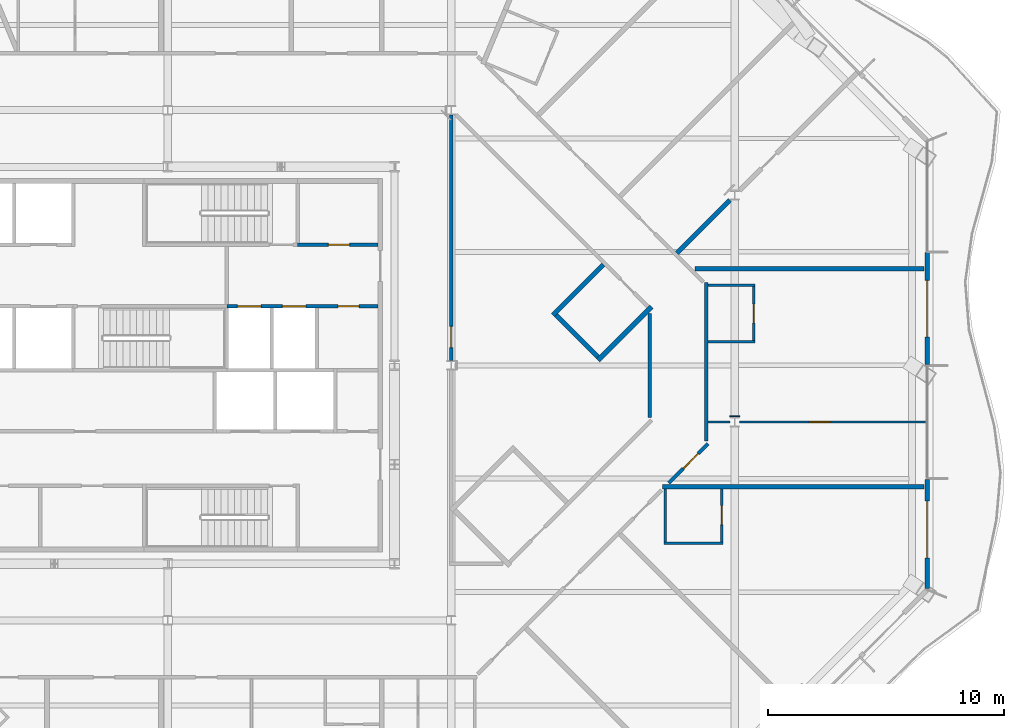
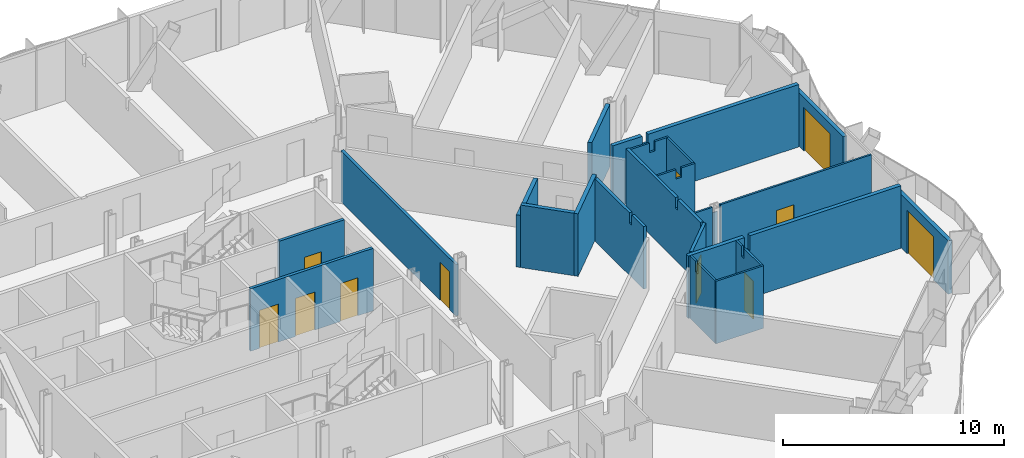
# One storey, part 10 of 19: 23 walls, 11 doors, 11 openings.
"""IFC4 building model written with IfcOpenShell, lengths in metres."""

from ifc_helpers import new_model, si_unit, direction, frame, frame_2d, origin, place, context, subcontext, project, spatial, polyline, rectangle, outline, extrude, material, layer, layer_set, type_object, element, fill, save


model = new_model("IFC4")

# Units and contexts
model_context = context("Model", 3, precision=1e-05, world=origin(), true_north=direction((0.0, 1.0)))
body_context = subcontext(model_context, "Body", "Model", "MODEL_VIEW")
ifc_project = project(units=[si_unit("LENGTHUNIT", "METRE"), si_unit("AREAUNIT", "SQUARE_METRE"), si_unit("VOLUMEUNIT", "CUBIC_METRE"), si_unit("PLANEANGLEUNIT", "RADIAN"), si_unit("MASSUNIT", "GRAM", prefix="KILO")], contexts=[model_context])

# Site, building, storey
site_placement = place(None, origin())
site = spatial("IfcSite", under=ifc_project, at=site_placement, CompositionType="ELEMENT")
building_placement = place(site_placement, origin())
building = spatial("IfcBuilding", under=site, at=building_placement, Name="Cairn Pilgrim Tower", CompositionType="ELEMENT")
storey_placement = place(building_placement, frame((0.0, 0.0, 186.60009765625)))
storey = spatial("IfcBuildingStorey", under=building, at=storey_placement, Name="L47", CompositionType="ELEMENT", Elevation=186.60009765625)

# Wall, opening, door
ifc_material_1 = material(Name="Bronze anodised aluminium insulated sandwich panel with mineral wool fill", Category="aluminium")
ifc_layer_1 = layer(ifc_material_1, 0.199951171875)
ifc_layer_set_1 = layer_set([ifc_layer_1], Name="BRONZE INFILL FRAME WALL 200")
wall_type_1 = type_object("IfcWallType", Name="BRONZE INFILL FRAME WALL 200", PredefinedType="NOTDEFINED", material=ifc_layer_set_1)
wall_1_placement = place(storey_placement, frame((39.35009765625, -7.056396484375, 0.0), z_axis=(0.0, 0.0, 1.0), x_axis=(0.0, 1.0, 0.0)))
wall_1 = element("IfcWall", 1, at=wall_1_placement, inside=storey, type_object=wall_type_1, Name="Bronze infill frame wall IW-E1", PredefinedType="NOTDEFINED", context=body_context, shape_type="SweptSolid", body=[
    extrude(rectangle(XDim=4.62646484375, YDim=0.199951171875, at=frame_2d((2.313232421875, 0.0))), origin(), (0.0, 0.0, 1.0), 2.949951171875),
])
opening_1_placement = place(wall_1_placement, frame((1.308349609375, 0.0, 0.0)))
opening_1 = element("IfcOpeningElement", 2, at=opening_1_placement, cuts=wall_1, Name="Opening 4703B", PredefinedType="OPENING", context=body_context, shape_type="SweptSolid", body=[
    extrude(rectangle(XDim=2.39990234375, YDim=2.39990234375, at=frame_2d((1.199951171875, 1.199951171875))), frame((0.0, 0.10986328125, 0.0), z_axis=(0.0, -1.0, 0.0), x_axis=(1.0, 0.0, 0.0)), (0.0, 0.0, 1.0), 0.219970703125),
])
ifc_material_2 = material(Name="Bronze anodised aluminium frame with tinted low-E glass", Category="aluminium")
door_type_1 = type_object("IfcDoorType", Name="BALCONY SLIDING DOOR 2400x2400", OperationType="DOUBLE_DOOR_SLIDING", PredefinedType="DOOR", material=ifc_material_2)
door_1_placement = place(opening_1_placement, origin())
door_1 = element("IfcDoor", 3, at=door_1_placement, inside=storey, type_object=door_type_1, Name="Balcony sliding door 4703B", OperationType="SINGLE_SWING_LEFT", OverallHeight=2.39990234375, OverallWidth=2.39990234375, PredefinedType="DOOR", context=body_context, shape_type="SweptSolid", body=[
    extrude(rectangle(XDim=2.39990234375, YDim=2.39990234375, at=frame_2d((1.199951171875, 1.199951171875))), frame((0.0, 0.02490234375, 0.0), z_axis=(0.0, -1.0, 0.0), x_axis=(1.0, 0.0, 0.0)), (0.0, 0.0, 1.0), 0.050048828125),
])
fill(opening_1, door_1)

wall_2_placement = place(storey_placement, frame((39.35009765625, 2.429931640625, 0.0), z_axis=(0.0, 0.0, 1.0), x_axis=(0.0, 1.0, 0.0)))
wall_2 = element("IfcWall", 4, at=wall_2_placement, inside=storey, type_object=wall_type_1, Name="Bronze infill frame wall IW-E3", PredefinedType="NOTDEFINED", context=body_context, shape_type="SweptSolid", body=[
    extrude(rectangle(XDim=4.739990234375, YDim=0.199951171875, at=frame_2d((2.3701171875, 0.0))), origin(), (0.0, 0.0, 1.0), 2.949951171875),
])
opening_2_placement = place(wall_2_placement, frame((1.169921875, 0.0, 0.0)))
opening_2 = element("IfcOpeningElement", 5, at=opening_2_placement, cuts=wall_2, Name="Opening 4704SB", PredefinedType="OPENING", context=body_context, shape_type="SweptSolid", body=[
    extrude(rectangle(XDim=2.39990234375, YDim=2.39990234375, at=frame_2d((1.199951171875, 1.199951171875))), frame((0.0, 0.10986328125, 0.0), z_axis=(0.0, -1.0, 0.0), x_axis=(1.0, 0.0, 0.0)), (0.0, 0.0, 1.0), 0.219970703125),
])
door_2_placement = place(opening_2_placement, origin())
door_2 = element("IfcDoor", 6, at=door_2_placement, inside=storey, type_object=door_type_1, Name="Balcony sliding door 4704SB", OperationType="SINGLE_SWING_LEFT", OverallHeight=2.39990234375, OverallWidth=2.39990234375, PredefinedType="DOOR", context=body_context, shape_type="SweptSolid", body=[
    extrude(rectangle(XDim=2.39990234375, YDim=2.39990234375, at=frame_2d((1.199951171875, 1.199951171875))), frame((0.0, 0.02490234375, 0.0), z_axis=(0.0, -1.0, 0.0), x_axis=(1.0, 0.0, 0.0)), (0.0, 0.0, 1.0), 0.050048828125),
])
fill(opening_2, door_2)

# Wall, openings, doors
ifc_material_3 = material(Name="Concrete C32/40", Category="concrete")
ifc_layer_2 = layer(ifc_material_3, 0.14990234375)
ifc_layer_set_2 = layer_set([ifc_layer_2], Name="CORE SHAFT WALL 150 EI 120")
wall_type_2 = type_object("IfcWallType", Name="CORE SHAFT WALL 150 EI 120", PredefinedType="SOLIDWALL", material=ifc_layer_set_2)
wall_3_placement = place(storey_placement, frame((9.699951171875, 4.89990234375, 0.0), z_axis=(0.0, 0.0, 1.0), x_axis=(1.0, 0.0, 0.0)))
wall_3 = element("IfcWall", 7, at=wall_3_placement, inside=storey, type_object=wall_type_2, Name="CW:L47:H09-3", PredefinedType="SOLIDWALL", context=body_context, shape_type="SweptSolid", body=[
    extrude(rectangle(XDim=6.400146484375, YDim=0.14990234375, at=frame_2d((3.2001953125, 0.0))), origin(), (0.0, 0.0, 1.0), 3.449951171875),
])
opening_3_placement = place(wall_3_placement, frame((0.449951171875, 0.0, 0.0)))
opening_3 = element("IfcOpeningElement", 8, at=opening_3_placement, cuts=wall_3, Name="Opening LD-FF1", PredefinedType="OPENING", context=body_context, shape_type="SweptSolid", body=[
    extrude(rectangle(XDim=1.0, YDim=2.10009765625, at=frame_2d((0.5, 1.050048828125))), frame((0.0, 0.0849609375, 0.0), z_axis=(0.0, -1.0, 0.0), x_axis=(1.0, 0.0, 0.0)), (0.0, 0.0, 1.0), 0.169921875),
])
opening_4_placement = place(wall_3_placement, frame((2.35009765625, 0.0, 0.0)))
opening_4 = element("IfcOpeningElement", 9, at=opening_4_placement, cuts=wall_3, Name="Opening LD-FF2", PredefinedType="OPENING", context=body_context, shape_type="SweptSolid", body=[
    extrude(rectangle(XDim=1.0, YDim=2.10009765625, at=frame_2d((0.5, 1.050048828125))), frame((0.0, 0.0849609375, 0.0), z_axis=(0.0, -1.0, 0.0), x_axis=(1.0, 0.0, 0.0)), (0.0, 0.0, 1.0), 0.169921875),
])
opening_5_placement = place(wall_3_placement, frame((4.699951171875, 0.0, 0.0)))
opening_5 = element("IfcOpeningElement", 10, at=opening_5_placement, cuts=wall_3, Name="Opening RD-R3E", PredefinedType="OPENING", context=body_context, shape_type="SweptSolid", body=[
    extrude(rectangle(XDim=0.89990234375, YDim=2.10009765625, at=frame_2d((0.449951171875, 1.050048828125))), frame((0.0, 0.0849609375, 0.0), z_axis=(0.0, -1.0, 0.0), x_axis=(1.0, 0.0, 0.0)), (0.0, 0.0, 1.0), 0.169921875),
])
ifc_material_4 = material(Name="Stainless steel", Category="steel")
door_type_2 = type_object("IfcDoorType", Name="LIFT LANDING DOOR FIRE 1000x2100", OperationType="DOUBLE_DOOR_SLIDING", PredefinedType="DOOR", material=ifc_material_4)
door_3_placement = place(opening_3_placement, origin())
door_3 = element("IfcDoor", 11, at=door_3_placement, inside=storey, type_object=door_type_2, Name="LANDING DOOR FF1", OperationType="DOUBLE_DOOR_SLIDING", OverallHeight=2.10009765625, OverallWidth=1.0, PredefinedType="DOOR", context=body_context, shape_type="SweptSolid", body=[
    extrude(rectangle(XDim=1.0, YDim=2.10009765625, at=frame_2d((0.5, 1.050048828125))), frame((0.0, 0.02490234375, 0.0), z_axis=(0.0, -1.0, 0.0), x_axis=(1.0, 0.0, 0.0)), (0.0, 0.0, 1.0), 0.050048828125),
])
fill(opening_3, door_3)
door_4_placement = place(opening_4_placement, origin())
door_4 = element("IfcDoor", 12, at=door_4_placement, inside=storey, type_object=door_type_2, Name="LANDING DOOR FF2", OperationType="DOUBLE_DOOR_SLIDING", OverallHeight=2.10009765625, OverallWidth=1.0, PredefinedType="DOOR", context=body_context, shape_type="SweptSolid", body=[
    extrude(rectangle(XDim=1.0, YDim=2.10009765625, at=frame_2d((0.5, 1.050048828125))), frame((0.0, 0.02490234375, 0.0), z_axis=(0.0, -1.0, 0.0), x_axis=(1.0, 0.0, 0.0)), (0.0, 0.0, 1.0), 0.050048828125),
])
fill(opening_4, door_4)
ifc_material_5 = material(Name="Painted steel", Category="steel")
door_type_3 = type_object("IfcDoorType", Name="SERVICE ROOM DOOR 900x2100", OperationType="SINGLE_SWING_LEFT", PredefinedType="DOOR", material=ifc_material_5)
door_5_placement = place(opening_5_placement, origin())
door_5 = element("IfcDoor", 13, at=door_5_placement, inside=storey, type_object=door_type_3, Name="RD-R3E", OperationType="SINGLE_SWING_RIGHT", OverallHeight=2.10009765625, OverallWidth=0.89990234375, PredefinedType="DOOR", context=body_context, shape_type="SweptSolid", body=[
    extrude(rectangle(XDim=0.89990234375, YDim=2.10009765625, at=frame_2d((0.449951171875, 1.050048828125))), frame((0.0, 0.02490234375, 0.0), z_axis=(0.0, -1.0, 0.0), x_axis=(1.0, 0.0, 0.0)), (0.0, 0.0, 1.0), 0.050048828125),
])
fill(opening_5, door_5)

# Wall, opening, door
wall_4_placement = place(storey_placement, frame((12.699951171875, 7.5, 0.0), z_axis=(0.0, 0.0, 1.0), x_axis=(1.0, 0.0, 0.0)))
wall_4 = element("IfcWall", 14, at=wall_4_placement, inside=storey, type_object=wall_type_2, Name="CW:L47:H11-2", PredefinedType="SOLIDWALL", context=body_context, shape_type="SweptSolid", body=[
    extrude(rectangle(XDim=3.400146484375, YDim=0.14990234375, at=frame_2d((1.7001953125, 0.0))), origin(), (0.0, 0.0, 1.0), 3.449951171875),
])
opening_6_placement = place(wall_4_placement, frame((1.300048828125, 0.0, 0.0)))
opening_6 = element("IfcOpeningElement", 15, at=opening_6_placement, cuts=wall_4, Name="Opening RD-R4E", PredefinedType="OPENING", context=body_context, shape_type="SweptSolid", body=[
    extrude(rectangle(XDim=0.89990234375, YDim=2.10009765625, at=frame_2d((0.449951171875, 1.050048828125))), frame((0.0, 0.0849609375, 0.0), z_axis=(0.0, -1.0, 0.0), x_axis=(1.0, 0.0, 0.0)), (0.0, 0.0, 1.0), 0.169921875),
])
door_6_placement = place(opening_6_placement, origin())
door_6 = element("IfcDoor", 16, at=door_6_placement, inside=storey, type_object=door_type_3, Name="RD-R4E", OperationType="SINGLE_SWING_LEFT", OverallHeight=2.10009765625, OverallWidth=0.89990234375, PredefinedType="DOOR", context=body_context, shape_type="SweptSolid", body=[
    extrude(rectangle(XDim=0.89990234375, YDim=2.10009765625, at=frame_2d((0.449951171875, 1.050048828125))), frame((0.0, 0.02490234375, 0.0), z_axis=(0.0, -1.0, 0.0), x_axis=(1.0, 0.0, 0.0)), (0.0, 0.0, 1.0), 0.050048828125),
])
fill(opening_6, door_6)

# Walls
ifc_material_6 = material(Name="Gypsum partition")
ifc_layer_3 = layer(ifc_material_6, 0.10009765625)
ifc_layer_set_3 = layer_set([ifc_layer_3], Name="PARTITION 100 DRYWALL")
wall_type_3 = type_object("IfcWallType", Name="PARTITION 100 DRYWALL", PredefinedType="PARTITIONING", material=ifc_layer_set_3)
wall_5_placement = place(storey_placement, frame((28.2060546875, -5.138916015625, 0.0), z_axis=(0.0, 0.0, 1.0), x_axis=(1.0, 0.0, 0.0)))
element("IfcWall", 17, at=wall_5_placement, inside=storey, type_object=wall_type_3, Name="PARTITION W031", PredefinedType="PARTITIONING", context=body_context, shape_type="SweptSolid", body=[
    extrude(rectangle(XDim=2.5, YDim=0.10009765625, at=frame_2d((1.25, 0.0))), origin(), (0.0, 0.0, 1.0), 3.449951171875),
])
wall_6_placement = place(storey_placement, frame((28.256103515625, -5.089111328125, 0.0), z_axis=(0.0, 0.0, 1.0), x_axis=(0.0, 1.0, 0.0)))
element("IfcWall", 18, at=wall_6_placement, inside=storey, type_object=wall_type_3, Name="PARTITION W032", PredefinedType="PARTITIONING", context=body_context, shape_type="SweptSolid", body=[
    extrude(outline(polyline([(0.0, 0.0), (2.25, 0.0), (2.25, 3.449951171875), (1.743896484375, 3.449951171875), (1.741943359375, 2.8798828125), (1.533935546875, 2.8798828125), (1.531982421875, 3.449951171875), (0.0, 3.449951171875), (0.0, 0.0)])), frame((0.0, 0.050048828125, 0.0), z_axis=(0.0, -1.0, 0.0), x_axis=(1.0, 0.0, 0.0)), (0.0, 0.0, 1.0), 0.10009765625),
])

# Wall, opening, door
wall_7_placement = place(storey_placement, frame((30.656005859375, -5.089111328125, 0.0), z_axis=(0.0, 0.0, 1.0), x_axis=(0.0, 1.0, 0.0)))
wall_7 = element("IfcWall", 19, at=wall_7_placement, inside=storey, type_object=wall_type_3, Name="PARTITION W033", PredefinedType="PARTITIONING", context=body_context, shape_type="SweptSolid", body=[
    extrude(outline(polyline([(0.0, 0.0), (2.25, 0.0), (2.25, 3.449951171875), (1.743896484375, 3.449951171875), (1.741943359375, 2.8798828125), (1.533935546875, 2.8798828125), (1.531982421875, 3.449951171875), (0.0, 3.449951171875), (0.0, 0.0)])), frame((0.0, 0.050048828125, 0.0), z_axis=(0.0, -1.0, 0.0), x_axis=(1.0, 0.0, 0.0)), (0.0, 0.0, 1.0), 0.10009765625),
])
opening_7_placement = place(wall_7_placement, frame((0.75, 0.0, 0.0)))
opening_7 = element("IfcOpeningElement", 20, at=opening_7_placement, cuts=wall_7, Name="Opening 4703A", PredefinedType="OPENING", context=body_context, shape_type="SweptSolid", body=[
    extrude(rectangle(XDim=0.800048828125, YDim=2.10009765625, at=frame_2d((0.39990234375, 1.050048828125))), frame((0.0, 0.06005859375, 0.0), z_axis=(0.0, -1.0, 0.0), x_axis=(1.0, 0.0, 0.0)), (0.0, 0.0, 1.0), 0.1201171875),
])
ifc_material_7 = material(Name="Timber door leaf", Category="wood")
door_type_4 = type_object("IfcDoorType", Name="WC DOOR 800x2100", OperationType="NOTDEFINED", PredefinedType="DOOR", material=ifc_material_7)
door_7_placement = place(opening_7_placement, frame((0.800048828125, 0.0, 0.0), z_axis=(0.0, 0.0, 1.0), x_axis=(-1.0, 0.0, 0.0)))
door_7 = element("IfcDoor", 21, at=door_7_placement, inside=storey, type_object=door_type_4, Name="DOOR 4703A", OperationType="SINGLE_SWING_RIGHT", OverallHeight=2.10009765625, OverallWidth=0.800048828125, PredefinedType="DOOR", context=body_context, shape_type="SweptSolid", body=[
    extrude(rectangle(XDim=0.800048828125, YDim=2.10009765625, at=frame_2d((0.39990234375, 1.050048828125))), frame((0.0, 0.02490234375, 0.0), z_axis=(0.0, -1.0, 0.0), x_axis=(1.0, 0.0, 0.0)), (0.0, 0.0, 1.0), 0.050048828125),
])
fill(opening_7, door_7)

# Wall
wall_8_placement = place(storey_placement, frame((30.074951171875, 0.0, 0.0), z_axis=(0.0, 0.0, 1.0), x_axis=(1.0, 0.0, 0.0)))
element("IfcWall", 22, at=wall_8_placement, inside=storey, type_object=wall_type_3, Name="PARTITION W043", PredefinedType="PARTITIONING", context=body_context, shape_type="SweptSolid", body=[
    extrude(rectangle(XDim=0.920654296875, YDim=0.10009765625, at=frame_2d((0.46044921875, 0.0))), origin(), (0.0, 0.0, 1.0), 3.449951171875),
])

# Wall, opening, door
wall_9_placement = place(storey_placement, frame((31.404541015625, 0.0, 0.0), z_axis=(0.0, 0.0, 1.0), x_axis=(1.0, 0.0, 0.0)))
wall_9 = element("IfcWall", 23, at=wall_9_placement, inside=storey, type_object=wall_type_3, Name="PARTITION W044", PredefinedType="PARTITIONING", context=body_context, shape_type="SweptSolid", body=[
    extrude(rectangle(XDim=7.8984375, YDim=0.10009765625, at=frame_2d((3.94921875, 0.0))), origin(), (0.0, 0.0, 1.0), 3.449951171875),
])
opening_8_placement = place(wall_9_placement, frame((2.945556640625, 0.0, 0.0)))
opening_8 = element("IfcOpeningElement", 24, at=opening_8_placement, cuts=wall_9, Name="Opening 4704C", PredefinedType="OPENING", context=body_context, shape_type="SweptSolid", body=[
    extrude(rectangle(XDim=0.89990234375, YDim=2.10009765625, at=frame_2d((0.449951171875, 1.050048828125))), frame((0.0, 0.06005859375, 0.0), z_axis=(0.0, -1.0, 0.0), x_axis=(1.0, 0.0, 0.0)), (0.0, 0.0, 1.0), 0.1201171875),
])
door_type_5 = type_object("IfcDoorType", Name="SERVICE DOOR 900x2100", OperationType="NOTDEFINED", PredefinedType="DOOR", material=ifc_material_7)
door_8_placement = place(opening_8_placement, frame((0.89990234375, 0.0, 0.0), z_axis=(0.0, 0.0, 1.0), x_axis=(-1.0, 0.0, 0.0)))
door_8 = element("IfcDoor", 25, at=door_8_placement, inside=storey, type_object=door_type_5, Name="DOOR 4704C", OperationType="SINGLE_SWING_RIGHT", OverallHeight=2.10009765625, OverallWidth=0.89990234375, PredefinedType="DOOR", context=body_context, shape_type="SweptSolid", body=[
    extrude(rectangle(XDim=0.89990234375, YDim=2.10009765625, at=frame_2d((0.449951171875, 1.050048828125))), frame((0.0, 0.02490234375, 0.0), z_axis=(0.0, -1.0, 0.0), x_axis=(1.0, 0.0, 0.0)), (0.0, 0.0, 1.0), 0.050048828125),
])
fill(opening_8, door_8)

# Wall
wall_10_placement = place(storey_placement, frame((30.074951171875, 3.39404296875, 0.0), z_axis=(0.0, 0.0, 1.0), x_axis=(1.0, 0.0, 0.0)))
element("IfcWall", 26, at=wall_10_placement, inside=storey, type_object=wall_type_3, Name="PARTITION W051", PredefinedType="PARTITIONING", context=body_context, shape_type="SweptSolid", body=[
    extrude(outline(polyline([(0.0, 0.0), (1.97509765625, 0.0), (1.97509765625, 3.449951171875), (1.27490234375, 3.449951171875), (1.27294921875, 2.929931640625), (0.97509765625, 2.929931640625), (0.972900390625, 3.449951171875), (0.0, 3.449951171875), (0.0, 0.0)])), frame((0.0, 0.050048828125, 0.0), z_axis=(0.0, -1.0, 0.0), x_axis=(1.0, 0.0, 0.0)), (0.0, 0.0, 1.0), 0.10009765625),
])

# Wall, opening, door
wall_11_placement = place(storey_placement, frame((32.0, 3.444091796875, 0.0), z_axis=(0.0, 0.0, 1.0), x_axis=(0.0, 1.0, 0.0)))
wall_11 = element("IfcWall", 27, at=wall_11_placement, inside=storey, type_object=wall_type_3, Name="PARTITION W052", PredefinedType="PARTITIONING", context=body_context, shape_type="SweptSolid", body=[
    extrude(rectangle(XDim=2.2998046875, YDim=0.10009765625, at=frame_2d((1.14990234375, 0.0))), origin(), (0.0, 0.0, 1.0), 3.449951171875),
])
opening_9_placement = place(wall_11_placement, frame((0.75, 0.0, 0.0)))
opening_9 = element("IfcOpeningElement", 28, at=opening_9_placement, cuts=wall_11, Name="Opening 4704A", PredefinedType="OPENING", context=body_context, shape_type="SweptSolid", body=[
    extrude(rectangle(XDim=0.800048828125, YDim=2.10009765625, at=frame_2d((0.39990234375, 1.050048828125))), frame((0.0, 0.06005859375, 0.0), z_axis=(0.0, -1.0, 0.0), x_axis=(1.0, 0.0, 0.0)), (0.0, 0.0, 1.0), 0.1201171875),
])
door_9_placement = place(opening_9_placement, frame((0.800048828125, 0.0, 0.0), z_axis=(0.0, 0.0, 1.0), x_axis=(-1.0, 0.0, 0.0)))
door_9 = element("IfcDoor", 29, at=door_9_placement, inside=storey, type_object=door_type_4, Name="DOOR 4704A", OperationType="SINGLE_SWING_RIGHT", OverallHeight=2.10009765625, OverallWidth=0.800048828125, PredefinedType="DOOR", context=body_context, shape_type="SweptSolid", body=[
    extrude(rectangle(XDim=0.800048828125, YDim=2.10009765625, at=frame_2d((0.39990234375, 1.050048828125))), frame((0.0, 0.02490234375, 0.0), z_axis=(0.0, -1.0, 0.0), x_axis=(1.0, 0.0, 0.0)), (0.0, 0.0, 1.0), 0.050048828125),
])
fill(opening_9, door_9)

# Wall
wall_12_placement = place(storey_placement, frame((30.074951171875, 5.7939453125, 0.0), z_axis=(0.0, 0.0, 1.0), x_axis=(1.0, 0.0, 0.0)))
element("IfcWall", 30, at=wall_12_placement, inside=storey, type_object=wall_type_3, Name="PARTITION W055", PredefinedType="PARTITIONING", context=body_context, shape_type="SweptSolid", body=[
    extrude(outline(polyline([(0.0, 0.0), (1.97509765625, 0.0), (1.97509765625, 3.449951171875), (1.27490234375, 3.449951171875), (1.27294921875, 2.929931640625), (0.97509765625, 2.929931640625), (0.972900390625, 3.449951171875), (0.0, 3.449951171875), (0.0, 0.0)])), frame((0.0, 0.050048828125, 0.0), z_axis=(0.0, -1.0, 0.0), x_axis=(1.0, 0.0, 0.0)), (0.0, 0.0, 1.0), 0.10009765625),
])

# Wall, opening, door
ifc_layer_4 = layer(ifc_material_6, 0.14990234375)
ifc_layer_set_4 = layer_set([ifc_layer_4], Name="PARTITION 150 DRYWALL EI 60")
wall_type_4 = type_object("IfcWallType", Name="PARTITION 150 DRYWALL EI 60", PredefinedType="PARTITIONING", material=ifc_layer_set_4)
wall_13_placement = place(storey_placement, frame((28.408935546875, -2.5859375, 0.0), z_axis=(0.0, 0.0, 1.0), x_axis=(0.706899570422, 0.707313931248, 0.0)))
wall_13 = element("IfcWall", 31, at=wall_13_placement, inside=storey, type_object=wall_type_4, Name="PARTITION W039", PredefinedType="PARTITIONING", context=body_context, shape_type="SweptSolid", body=[
    extrude(rectangle(XDim=2.356689453125, YDim=0.14990234375, at=frame_2d((1.17822265625, 0.0))), origin(), (0.0, 0.0, 1.0), 3.449951171875),
])
opening_10_placement = place(wall_13_placement, frame((0.86669921875, 0.0, 0.0)))
opening_10 = element("IfcOpeningElement", 32, at=opening_10_placement, cuts=wall_13, Name="Opening 4704", PredefinedType="OPENING", context=body_context, shape_type="SweptSolid", body=[
    extrude(rectangle(XDim=0.89990234375, YDim=2.10009765625, at=frame_2d((0.449951171875, 1.050048828125))), frame((0.0, 0.0849609375, 0.0), z_axis=(0.0, -1.0, 0.0), x_axis=(1.0, 0.0, 0.0)), (0.0, 0.0, 1.0), 0.169921875),
])
door_type_6 = type_object("IfcDoorType", Name="ROOM DOOR 900x2100 FD30S", OperationType="NOTDEFINED", PredefinedType="DOOR", material=ifc_material_7)
door_10_placement = place(opening_10_placement, frame((0.89990234375, 0.0, 0.0), z_axis=(0.0, 0.0, 1.0), x_axis=(-1.0, 0.0, 0.0)))
door_10 = element("IfcDoor", 33, at=door_10_placement, inside=storey, type_object=door_type_6, Name="DOOR 4704", OperationType="SINGLE_SWING_RIGHT", OverallHeight=2.10009765625, OverallWidth=0.89990234375, PredefinedType="DOOR", context=body_context, shape_type="SweptSolid", body=[
    extrude(rectangle(XDim=0.89990234375, YDim=2.10009765625, at=frame_2d((0.449951171875, 1.050048828125))), frame((0.0, 0.02490234375, 0.0), z_axis=(0.0, -1.0, 0.0), x_axis=(1.0, 0.0, 0.0)), (0.0, 0.0, 1.0), 0.050048828125),
])
fill(opening_10, door_10)

# Walls
wall_14_placement = place(storey_placement, frame((30.0, -0.81298828125, 0.0), z_axis=(0.0, 0.0, 1.0), x_axis=(0.0, 1.0, 0.0)))
element("IfcWall", 34, at=wall_14_placement, inside=storey, type_object=wall_type_4, Name="PARTITION W040", PredefinedType="PARTITIONING", context=body_context, shape_type="SweptSolid", body=[
    extrude(outline(polyline([(0.0, 0.0), (6.712890625, 0.0), (6.712890625, 3.449951171875), (2.267822265625, 3.449951171875), (2.265869140625, 2.8798828125), (2.057861328125, 2.8798828125), (2.055908203125, 3.449951171875), (0.0, 3.449951171875), (0.0, 0.0)])), frame((0.0, 0.074951171875, 0.0), z_axis=(0.0, -1.0, 0.0), x_axis=(1.0, 0.0, 0.0)), (0.0, 0.0, 1.0), 0.14990234375),
])
wall_15_placement = place(storey_placement, frame((27.60009765625, 0.18115234375, 0.0), z_axis=(0.0, 0.0, 1.0), x_axis=(0.0, 1.0, 0.0)))
element("IfcWall", 35, at=wall_15_placement, inside=storey, type_object=wall_type_4, Name="PARTITION W046", PredefinedType="PARTITIONING", context=body_context, shape_type="SweptSolid", body=[
    extrude(outline(polyline([(0.0, 0.0), (4.40234375, 0.0), (4.402587890625, 3.449951171875), (1.27392578125, 3.449951171875), (1.27197265625, 2.8798828125), (1.06396484375, 2.8798828125), (1.06201171875, 3.449951171875), (0.0, 3.449951171875), (0.0, 0.0)])), frame((0.0, 0.074951171875, 0.0), z_axis=(0.0, -1.0, 0.0), x_axis=(1.0, 0.0, 0.0)), (0.0, 0.0, 1.0), 0.14990234375),
])

# Wall, opening, door
wall_16_placement = place(storey_placement, frame((19.199951171875, 2.596435546875, 0.0), z_axis=(0.0, 0.0, 1.0), x_axis=(0.0, 1.0, 0.0)))
wall_16 = element("IfcWall", 36, at=wall_16_placement, inside=storey, type_object=wall_type_4, Name="PARTITION W048", PredefinedType="PARTITIONING", context=body_context, shape_type="SweptSolid", body=[
    extrude(rectangle(XDim=10.406982421875, YDim=0.14990234375, at=frame_2d((5.20361328125, 0.0))), origin(), (0.0, 0.0, 1.0), 2.829833984375),
])
opening_11_placement = place(wall_16_placement, frame((0.553466796875, 0.0, 0.0)))
opening_11 = element("IfcOpeningElement", 37, at=opening_11_placement, cuts=wall_16, Name="Opening 4726", PredefinedType="OPENING", context=body_context, shape_type="SweptSolid", body=[
    extrude(rectangle(XDim=0.89990234375, YDim=2.10009765625, at=frame_2d((0.449951171875, 1.050048828125))), frame((0.0, 0.0849609375, 0.0), z_axis=(0.0, -1.0, 0.0), x_axis=(1.0, 0.0, 0.0)), (0.0, 0.0, 1.0), 0.169921875),
])
door_type_7 = type_object("IfcDoorType", Name="SERVICE DOOR 900x2100 FD30S", OperationType="NOTDEFINED", PredefinedType="DOOR", material=ifc_material_7)
door_11_placement = place(opening_11_placement, frame((0.89990234375, 0.0, 0.0), z_axis=(0.0, 0.0, 1.0), x_axis=(-1.0, 0.0, 0.0)))
door_11 = element("IfcDoor", 38, at=door_11_placement, inside=storey, type_object=door_type_7, Name="DOOR 4726", OperationType="SINGLE_SWING_RIGHT", OverallHeight=2.10009765625, OverallWidth=0.89990234375, PredefinedType="DOOR", context=body_context, shape_type="SweptSolid", body=[
    extrude(rectangle(XDim=0.89990234375, YDim=2.10009765625, at=frame_2d((0.449951171875, 1.050048828125))), frame((0.0, 0.02490234375, 0.0), z_axis=(0.0, -1.0, 0.0), x_axis=(1.0, 0.0, 0.0)), (0.0, 0.0, 1.0), 0.050048828125),
])
fill(opening_11, door_11)

# Walls
ifc_layer_5 = layer(ifc_material_6, 0.050048828125)
ifc_layer_set_5 = layer_set([ifc_layer_5], Name="PARTITION 50 DRYWALL")
wall_type_5 = type_object("IfcWallType", Name="PARTITION 50 DRYWALL", PredefinedType="PARTITIONING", material=ifc_layer_set_5)
wall_17_placement = place(storey_placement, frame((30.99560546875, 0.237548828125, 0.0), z_axis=(0.0, 0.0, 1.0), x_axis=(1.0, 0.0, 0.0)))
element("IfcWall", 39, at=wall_17_placement, inside=storey, type_object=wall_type_5, Name="COLUMN CASING WC10", PredefinedType="PARTITIONING", context=body_context, shape_type="SweptSolid", body=[
    extrude(rectangle(XDim=0.408935546875, YDim=0.050048828125, at=frame_2d((0.20458984375, 0.0))), origin(), (0.0, 0.0, 1.0), 2.929931640625),
])
ifc_layer_6 = layer(ifc_material_6, 0.199951171875)
ifc_layer_set_6 = layer_set([ifc_layer_6], Name="SHAFT WALL 200 GYPSUM EI 60")
wall_type_6 = type_object("IfcWallType", Name="SHAFT WALL 200 GYPSUM EI 60", PredefinedType="PARTITIONING", material=ifc_layer_set_6)
wall_18_placement = place(storey_placement, frame((28.139404296875, -2.739013671875, 0.0), z_axis=(0.0, 0.0, 1.0), x_axis=(1.0, 0.0, 0.0)))
element("IfcWall", 40, at=wall_18_placement, inside=storey, type_object=wall_type_6, Name="PARTITION W038", PredefinedType="PARTITIONING", context=body_context, shape_type="SweptSolid", body=[
    extrude(outline(polyline([(0.0, 0.0), (11.08056640625, 0.0), (11.08056640625, 3.449951171875), (3.21044921875, 3.449951171875), (3.20849609375, 2.6298828125), (2.910400390625, 2.6298828125), (2.908447265625, 3.449951171875), (0.0, 3.449951171875), (0.0, 0.0)])), frame((0.0, 0.10009765625, 0.0), z_axis=(0.0, -1.0, 0.0), x_axis=(1.0, 0.0, 0.0)), (0.0, 0.0, 1.0), 0.199951171875),
])
wall_19_placement = place(storey_placement, frame((25.408203125, 2.6083984375, 0.0), z_axis=(0.0, 0.0, 1.0), x_axis=(0.707144737481, 0.707068822855, 0.0)))
element("IfcWall", 41, at=wall_19_placement, inside=storey, type_object=wall_type_6, Name="PARTITION W049", PredefinedType="PARTITIONING", context=body_context, shape_type="SweptSolid", body=[
    extrude(rectangle(XDim=3.216064453125, YDim=0.199951171875, at=frame_2d((1.60791015625, 0.0))), origin(), (0.0, 0.0, 1.0), 3.449951171875),
])
wall_20_placement = place(storey_placement, frame((25.408203125, 2.749755859375, 0.0), z_axis=(0.0, 0.0, 1.0), x_axis=(-0.707106781187, 0.707106781187, 0.0)))
element("IfcWall", 42, at=wall_20_placement, inside=storey, type_object=wall_type_6, Name="PARTITION W050", PredefinedType="PARTITIONING", context=body_context, shape_type="SweptSolid", body=[
    extrude(rectangle(XDim=2.499755859375, YDim=0.199951171875, at=frame_2d((1.25, 0.0))), origin(), (0.0, 0.0, 1.0), 3.449951171875),
])
wall_21_placement = place(storey_placement, frame((23.499267578125, 4.517333984375, 0.0), z_axis=(0.0, 0.0, 1.0), x_axis=(0.707106781187, 0.707106781187, 0.0)))
element("IfcWall", 43, at=wall_21_placement, inside=storey, type_object=wall_type_6, Name="PARTITION W053", PredefinedType="PARTITIONING", context=body_context, shape_type="SweptSolid", body=[
    extrude(rectangle(XDim=3.024658203125, YDim=0.199951171875, at=frame_2d((1.51220703125, 0.0))), origin(), (0.0, 0.0, 1.0), 2.8798828125),
])
wall_22_placement = place(storey_placement, frame((29.510986328125, 6.489013671875, 0.0), z_axis=(0.0, 0.0, 1.0), x_axis=(1.0, 0.0, 0.0)))
element("IfcWall", 44, at=wall_22_placement, inside=storey, type_object=wall_type_6, Name="PARTITION W058", PredefinedType="PARTITIONING", context=body_context, shape_type="SweptSolid", body=[
    extrude(outline(polyline([(0.0, 0.0), (9.708984375, 0.0), (9.708984375, 3.449951171875), (1.8388671875, 3.449951171875), (1.8369140625, 2.929931640625), (1.538818359375, 2.929931640625), (1.536865234375, 3.449951171875), (0.0, 3.449951171875), (0.0, 0.0)])), frame((0.0, 0.10009765625, 0.0), z_axis=(0.0, -1.0, 0.0), x_axis=(1.0, 0.0, 0.0)), (0.0, 0.0, 1.0), 0.199951171875),
])
wall_23_placement = place(storey_placement, frame((28.75, 7.14990234375, 0.0), z_axis=(0.0, 0.0, 1.0), x_axis=(0.707068272989, 0.707145287287, 0.0)))
element("IfcWall", 45, at=wall_23_placement, inside=storey, type_object=wall_type_6, Name="PARTITION W059", PredefinedType="PARTITIONING", context=body_context, shape_type="SweptSolid", body=[
    extrude(rectangle(XDim=3.170166015625, YDim=0.199951171875, at=frame_2d((1.5849609375, 0.0))), origin(), (0.0, 0.0, 1.0), 3.449951171875),
])

save(model, "model.ifc")
